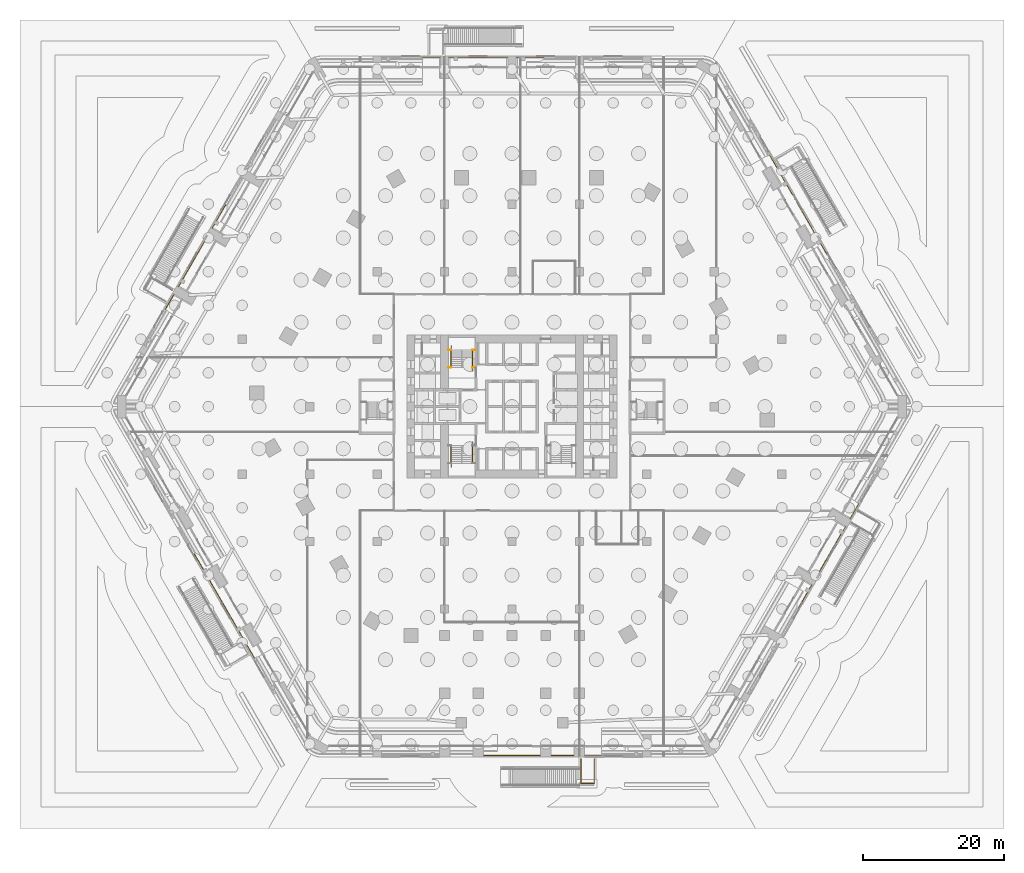
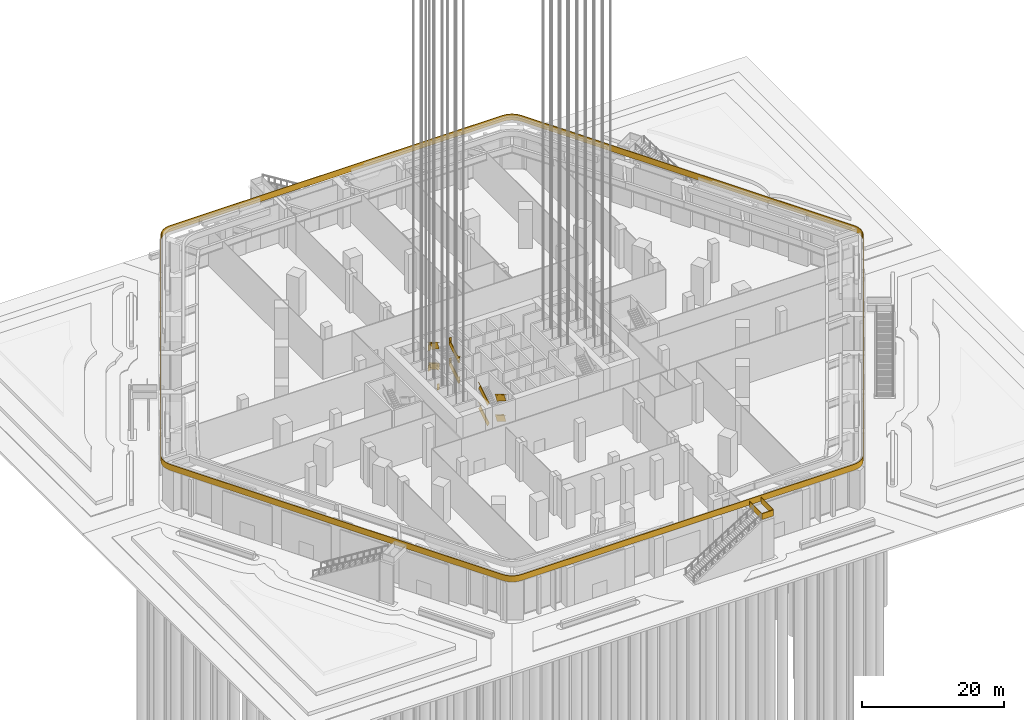
# One storey, part 63 of 68: 5 railings.
"""IFC4 building model written with IfcOpenShell, lengths in metres."""

from ifc_helpers import new_model, si_unit, direction, frame, frame_2d, origin, origin_2d, place, context, subcontext, project, spatial, rectangle, extrude, material, type_object, element, save


model = new_model("IFC4")

# Units and contexts
model_context = context("Model", 3, precision=1e-05, world=origin(), true_north=direction((0.0, 1.0)))
body_context = subcontext(model_context, "Body", "Model", "MODEL_VIEW")
ifc_project = project(units=[si_unit("LENGTHUNIT", "METRE"), si_unit("AREAUNIT", "SQUARE_METRE"), si_unit("VOLUMEUNIT", "CUBIC_METRE"), si_unit("PLANEANGLEUNIT", "RADIAN"), si_unit("MASSUNIT", "GRAM", prefix="KILO")], contexts=[model_context])

# Site, building, storey
site_placement = place(None, origin())
site = spatial("IfcSite", under=ifc_project, at=site_placement, CompositionType="ELEMENT")
building_placement = place(site_placement, origin())
building = spatial("IfcBuilding", under=site, at=building_placement, Name="Kolab Exchange Tower", CompositionType="ELEMENT")
storey_placement = place(building_placement, origin())
storey = spatial("IfcBuildingStorey", under=building, at=storey_placement, Name="L00", CompositionType="ELEMENT", Elevation=0.0)

# Railings
ifc_material_1 = material(Name="Stainless steel 316", Category="steel")
railing_type_1 = type_object("IfcRailingType", Name="GUARD 1100", PredefinedType="GUARDRAIL", material=ifc_material_1)
railing_1_placement = place(storey_placement, frame((-9.050048828125, 5.550048828125, 0.0)))
element("IfcRailing", 1, at=railing_1_placement, inside=storey, type_object=railing_type_1, Name="Guard ST1", PredefinedType="GUARDRAIL", context=body_context, shape_type="SweptSolid", body=[
    extrude(rectangle(XDim=0.05, YDim=0.05, at=origin_2d()), frame((0.0, 0.0, 1.0751953125), z_axis=(1.0, 0.0, 0.0), x_axis=(0.0, 1.0, 0.0)), (0.0, 0.0, 1.0), 0.39013671875),
    extrude(rectangle(XDim=0.012, YDim=1.05009765625, at=frame_2d((0.0, 0.525146484375))), frame((0.0, 0.0, 0.0), z_axis=(1.0, 0.0, 0.0), x_axis=(0.0, 1.0, 0.0)), (0.0, 0.0, 1.0), 0.39013671875),
    extrude(rectangle(XDim=0.05, YDim=0.05, at=origin_2d()), frame((3.41015625, 0.0, 1.0751953125), z_axis=(1.0, 0.0, 0.0), x_axis=(0.0, 1.0, 0.0)), (0.0, 0.0, 1.0), 0.389892578125),
    extrude(rectangle(XDim=0.012, YDim=1.05009765625, at=frame_2d((0.0, 0.525146484375))), frame((3.41015625, 0.0, 0.0), z_axis=(1.0, 0.0, 0.0), x_axis=(0.0, 1.0, 0.0)), (0.0, 0.0, 1.0), 0.389892578125),
    extrude(rectangle(XDim=0.05, YDim=0.05, at=origin_2d()), frame((0.0, 2.52001953125, 2.8251953125), z_axis=(1.0, 0.0, 0.0), x_axis=(0.0, 1.0, 0.0)), (0.0, 0.0, 1.0), 0.39013671875),
    extrude(rectangle(XDim=0.012, YDim=1.05009765625, at=frame_2d((0.0, 0.525146484375))), frame((0.0, 2.52001953125, 1.75), z_axis=(1.0, 0.0, 0.0), x_axis=(0.0, 1.0, 0.0)), (0.0, 0.0, 1.0), 0.39013671875),
    extrude(rectangle(XDim=0.05, YDim=0.05, at=origin_2d()), frame((3.41015625, 2.52001953125, 2.8251953125), z_axis=(1.0, 0.0, 0.0), x_axis=(0.0, 1.0, 0.0)), (0.0, 0.0, 1.0), 0.389892578125),
    extrude(rectangle(XDim=0.012, YDim=1.05009765625, at=frame_2d((0.0, 0.525146484375))), frame((3.41015625, 2.52001953125, 1.75), z_axis=(1.0, 0.0, 0.0), x_axis=(0.0, 1.0, 0.0)), (0.0, 0.0, 1.0), 0.389892578125),
    extrude(rectangle(XDim=0.05, YDim=0.05, at=origin_2d()), frame((0.0, 0.0, 4.5751953125), z_axis=(1.0, 0.0, 0.0), x_axis=(0.0, 1.0, 0.0)), (0.0, 0.0, 1.0), 0.39013671875),
    extrude(rectangle(XDim=0.012, YDim=1.05009765625, at=frame_2d((0.0, 0.525146484375))), frame((0.0, 0.0, 3.5), z_axis=(1.0, 0.0, 0.0), x_axis=(0.0, 1.0, 0.0)), (0.0, 0.0, 1.0), 0.39013671875),
    extrude(rectangle(XDim=0.05, YDim=0.05, at=origin_2d()), frame((3.41015625, 0.0, 4.5751953125), z_axis=(1.0, 0.0, 0.0), x_axis=(0.0, 1.0, 0.0)), (0.0, 0.0, 1.0), 0.389892578125),
    extrude(rectangle(XDim=0.012, YDim=1.05009765625, at=frame_2d((0.0, 0.525146484375))), frame((3.41015625, 0.0, 3.5), z_axis=(1.0, 0.0, 0.0), x_axis=(0.0, 1.0, 0.0)), (0.0, 0.0, 1.0), 0.389892578125),
    extrude(rectangle(XDim=0.05, YDim=0.05, at=origin_2d()), frame((0.0, 2.52001953125, 6.3251953125), z_axis=(1.0, 0.0, 0.0), x_axis=(0.0, 1.0, 0.0)), (0.0, 0.0, 1.0), 0.39013671875),
    extrude(rectangle(XDim=0.012, YDim=1.05009765625, at=frame_2d((0.0, 0.525146484375))), frame((0.0, 2.52001953125, 5.25), z_axis=(1.0, 0.0, 0.0), x_axis=(0.0, 1.0, 0.0)), (0.0, 0.0, 1.0), 0.39013671875),
    extrude(rectangle(XDim=0.05, YDim=0.05, at=origin_2d()), frame((3.41015625, 2.52001953125, 6.3251953125), z_axis=(1.0, 0.0, 0.0), x_axis=(0.0, 1.0, 0.0)), (0.0, 0.0, 1.0), 0.389892578125),
    extrude(rectangle(XDim=0.012, YDim=1.05009765625, at=frame_2d((0.0, 0.525146484375))), frame((3.41015625, 2.52001953125, 5.25), z_axis=(1.0, 0.0, 0.0), x_axis=(0.0, 1.0, 0.0)), (0.0, 0.0, 1.0), 0.389892578125),
])
railing_2_placement = place(storey_placement, frame((-5.639892578125, 5.550048828125, 0.175048828125)))
element("IfcRailing", 2, at=railing_2_placement, inside=storey, type_object=railing_type_1, Name="Handrail guard ST1", PredefinedType="GUARDRAIL", context=body_context, shape_type="SweptSolid", body=[
    extrude(rectangle(XDim=0.05, YDim=0.05, at=origin_2d()), frame((0.0, 0.0, 1.0751953125), z_axis=(0.0, 0.848007534815, 0.529984170421), x_axis=(-1.0, 0.0, 0.0)), (0.0, 0.0, 1.0), 2.9716796875),
    extrude(rectangle(XDim=0.012, YDim=1.05009765625, at=frame_2d((0.0, 0.525146484375))), frame((0.0, 0.0, 0.0), z_axis=(0.0, 0.848007534815, 0.529984170421), x_axis=(-1.0, 0.0, 0.0)), (0.0, 0.0, 1.0), 2.9716796875),
    extrude(rectangle(XDim=0.05, YDim=0.05, at=origin_2d()), frame((-3.02001953125, 2.52001953125, 2.8251953125), z_axis=(0.0, -0.848007534815, 0.529984170421), x_axis=(1.0, 0.0, 0.0)), (0.0, 0.0, 1.0), 2.9716796875),
    extrude(rectangle(XDim=0.012, YDim=1.05009765625, at=frame_2d((0.0, 0.525146484375))), frame((-3.02001953125, 2.52001953125, 1.75), z_axis=(0.0, -0.848007534815, 0.529984170421), x_axis=(1.0, 0.0, 0.0)), (0.0, 0.0, 1.0), 2.9716796875),
    extrude(rectangle(XDim=0.05, YDim=0.05, at=origin_2d()), frame((0.0, 0.0, 4.5751953125), z_axis=(0.0, 0.848007534815, 0.529984170421), x_axis=(-1.0, 0.0, 0.0)), (0.0, 0.0, 1.0), 2.9716796875),
    extrude(rectangle(XDim=0.012, YDim=1.05009765625, at=frame_2d((0.0, 0.525146484375))), frame((0.0, 0.0, 3.5), z_axis=(0.0, 0.848007534815, 0.529984170421), x_axis=(-1.0, 0.0, 0.0)), (0.0, 0.0, 1.0), 2.9716796875),
    extrude(rectangle(XDim=0.05, YDim=0.05, at=origin_2d()), frame((-3.02001953125, 2.52001953125, 6.3251953125), z_axis=(0.0, -0.848007534815, 0.529984170421), x_axis=(1.0, 0.0, 0.0)), (0.0, 0.0, 1.0), 2.9716796875),
    extrude(rectangle(XDim=0.012, YDim=1.05009765625, at=frame_2d((0.0, 0.525146484375))), frame((-3.02001953125, 2.52001953125, 5.25), z_axis=(0.0, -0.848007534815, 0.529984170421), x_axis=(1.0, 0.0, 0.0)), (0.0, 0.0, 1.0), 2.9716796875),
])
railing_3_placement = place(storey_placement, frame((-5.639892578125, -5.550048828125, 0.175048828125)))
element("IfcRailing", 3, at=railing_3_placement, inside=storey, type_object=railing_type_1, Name="Handrail guard ST3", PredefinedType="GUARDRAIL", context=body_context, shape_type="SweptSolid", body=[
    extrude(rectangle(XDim=0.05, YDim=0.05, at=origin_2d()), frame((0.0, 0.0, 1.0751953125), z_axis=(0.0, -0.848007534815, 0.529984170421), x_axis=(1.0, 0.0, 0.0)), (0.0, 0.0, 1.0), 2.9716796875),
    extrude(rectangle(XDim=0.012, YDim=1.05009765625, at=frame_2d((0.0, 0.525146484375))), frame((0.0, 0.0, 0.0), z_axis=(0.0, -0.848007534815, 0.529984170421), x_axis=(1.0, 0.0, 0.0)), (0.0, 0.0, 1.0), 2.9716796875),
    extrude(rectangle(XDim=0.05, YDim=0.05, at=origin_2d()), frame((-3.02001953125, -2.52001953125, 2.8251953125), z_axis=(0.0, 0.848007534815, 0.529984170421), x_axis=(-1.0, 0.0, 0.0)), (0.0, 0.0, 1.0), 2.9716796875),
    extrude(rectangle(XDim=0.012, YDim=1.05009765625, at=frame_2d((0.0, 0.525146484375))), frame((-3.02001953125, -2.52001953125, 1.75), z_axis=(0.0, 0.848007534815, 0.529984170421), x_axis=(-1.0, 0.0, 0.0)), (0.0, 0.0, 1.0), 2.9716796875),
    extrude(rectangle(XDim=0.05, YDim=0.05, at=origin_2d()), frame((0.0, 0.0, 4.5751953125), z_axis=(0.0, -0.848007534815, 0.529984170421), x_axis=(1.0, 0.0, 0.0)), (0.0, 0.0, 1.0), 2.9716796875),
    extrude(rectangle(XDim=0.012, YDim=1.05009765625, at=frame_2d((0.0, 0.525146484375))), frame((0.0, 0.0, 3.5), z_axis=(0.0, -0.848007534815, 0.529984170421), x_axis=(1.0, 0.0, 0.0)), (0.0, 0.0, 1.0), 2.9716796875),
    extrude(rectangle(XDim=0.05, YDim=0.05, at=origin_2d()), frame((-3.02001953125, -2.52001953125, 6.3251953125), z_axis=(0.0, 0.848007534815, 0.529984170421), x_axis=(-1.0, 0.0, 0.0)), (0.0, 0.0, 1.0), 2.9716796875),
    extrude(rectangle(XDim=0.012, YDim=1.05009765625, at=frame_2d((0.0, 0.525146484375))), frame((-3.02001953125, -2.52001953125, 5.25), z_axis=(0.0, 0.848007534815, 0.529984170421), x_axis=(-1.0, 0.0, 0.0)), (0.0, 0.0, 1.0), 2.9716796875),
])
ifc_material_2 = material(Name="Steel S235", Category="steel")
railing_type_2 = type_object("IfcRailingType", Name="GUARD 1100 GLASS BALUSTRADE AND STEEL TOP RAIL", PredefinedType="GUARDRAIL", material=ifc_material_2)
railing_4_placement = place(storey_placement, frame((56.511962890625, -1.384521484375, 7.0)))
element("IfcRailing", 4, at=railing_4_placement, inside=storey, type_object=railing_type_2, Name="Terrace guard", PredefinedType="GUARDRAIL", context=body_context, shape_type="SweptSolid", body=[
    extrude(rectangle(XDim=0.05, YDim=0.05, at=origin_2d()), frame((0.0, 0.0, 1.0751953125), z_axis=(-0.499999083278, -0.866025933053, 0.0), x_axis=(0.866025933053, -0.499999083278, 0.0)), (0.0, 0.0, 1.0), 54.11376953125),
    extrude(rectangle(XDim=0.012, YDim=1.05009765625, at=frame_2d((0.0, 0.525146484375))), frame((0.0, 0.0, 0.0), z_axis=(-0.499999083278, -0.866025933053, 0.0), x_axis=(0.866025933053, -0.499999083278, 0.0)), (0.0, 0.0, 1.0), 54.11376953125),
    extrude(rectangle(XDim=0.05, YDim=0.05, at=origin_2d()), frame((-27.056884765625, -46.864013671875, 1.0751953125), z_axis=(-0.573629427137, -0.819114937187, 0.0), x_axis=(0.819114937187, -0.573629427137, 0.0)), (0.0, 0.0, 1.0), 0.490234375),
    extrude(rectangle(XDim=0.012, YDim=1.05009765625, at=frame_2d((0.0, 0.525146484375))), frame((-27.056884765625, -46.864013671875, 0.0), z_axis=(-0.573629427137, -0.819114937187, 0.0), x_axis=(0.819114937187, -0.573629427137, 0.0)), (0.0, 0.0, 1.0), 0.490234375),
    extrude(rectangle(XDim=0.05, YDim=0.05, at=origin_2d()), frame((-27.338134765625, -47.265625, 1.0751953125), z_axis=(-0.707106781187, -0.707106781187, 0.0), x_axis=(0.707106781187, -0.707106781187, 0.0)), (0.0, 0.0, 1.0), 0.479248046875),
    extrude(rectangle(XDim=0.012, YDim=1.05009765625, at=frame_2d((0.0, 0.525146484375))), frame((-27.338134765625, -47.265625, 0.0), z_axis=(-0.707106781187, -0.707106781187, 0.0), x_axis=(0.707106781187, -0.707106781187, 0.0)), (0.0, 0.0, 1.0), 0.479248046875),
    extrude(rectangle(XDim=0.05, YDim=0.05, at=origin_2d()), frame((-27.677001953125, -47.6044921875, 1.0751953125), z_axis=(-0.819136180478, -0.573599091554, 0.0), x_axis=(0.573599091554, -0.819136180478, 0.0)), (0.0, 0.0, 1.0), 0.479248046875),
    extrude(rectangle(XDim=0.012, YDim=1.05009765625, at=frame_2d((0.0, 0.525146484375))), frame((-27.677001953125, -47.6044921875, 0.0), z_axis=(-0.819136180478, -0.573599091554, 0.0), x_axis=(0.573599091554, -0.819136180478, 0.0)), (0.0, 0.0, 1.0), 0.479248046875),
    extrude(rectangle(XDim=0.05, YDim=0.05, at=origin_2d()), frame((-28.069580078125, -47.87939453125, 1.0751953125), z_axis=(-0.906417300872, -0.422383329074, 0.0), x_axis=(0.422383329074, -0.906417300872, 0.0)), (0.0, 0.0, 1.0), 0.479248046875),
    extrude(rectangle(XDim=0.012, YDim=1.05009765625, at=frame_2d((0.0, 0.525146484375))), frame((-28.069580078125, -47.87939453125, 0.0), z_axis=(-0.906417300872, -0.422383329074, 0.0), x_axis=(0.422383329074, -0.906417300872, 0.0)), (0.0, 0.0, 1.0), 0.479248046875),
    extrude(rectangle(XDim=0.05, YDim=0.05, at=origin_2d()), frame((-28.50390625, -48.081787109375, 1.0751953125), z_axis=(-0.965895711288, -0.258931409675, 0.0), x_axis=(0.258931409675, -0.965895711288, 0.0)), (0.0, 0.0, 1.0), 0.47900390625),
    extrude(rectangle(XDim=0.012, YDim=1.05009765625, at=frame_2d((0.0, 0.525146484375))), frame((-28.50390625, -48.081787109375, 0.0), z_axis=(-0.965895711288, -0.258931409675, 0.0), x_axis=(0.258931409675, -0.965895711288, 0.0)), (0.0, 0.0, 1.0), 0.47900390625),
    extrude(rectangle(XDim=0.05, YDim=0.05, at=origin_2d()), frame((-28.966552734375, -48.205810546875, 1.0751953125), z_axis=(-0.996193717496, -0.087166950281, 0.0), x_axis=(0.087166950281, -0.996193717496, 0.0)), (0.0, 0.0, 1.0), 0.490234375),
    extrude(rectangle(XDim=0.012, YDim=1.05009765625, at=frame_2d((0.0, 0.525146484375))), frame((-28.966552734375, -48.205810546875, 0.0), z_axis=(-0.996193717496, -0.087166950281, 0.0), x_axis=(0.087166950281, -0.996193717496, 0.0)), (0.0, 0.0, 1.0), 0.490234375),
    extrude(rectangle(XDim=0.05, YDim=0.05, at=origin_2d()), frame((-29.454833984375, -48.24853515625, 1.0751953125), z_axis=(-1.0, 0.0, 0.0), x_axis=(0.0, -1.0, 0.0)), (0.0, 0.0, 1.0), 54.1142578125),
    extrude(rectangle(XDim=0.012, YDim=1.05009765625, at=frame_2d((0.0, 0.525146484375))), frame((-29.454833984375, -48.24853515625, 0.0), z_axis=(-1.0, 0.0, 0.0), x_axis=(0.0, -1.0, 0.0)), (0.0, 0.0, 1.0), 54.1142578125),
    extrude(rectangle(XDim=0.05, YDim=0.05, at=origin_2d()), frame((-83.569091796875, -48.24853515625, 1.0751953125), z_axis=(-0.996193717496, 0.087166950281, 0.0), x_axis=(-0.087166950281, -0.996193717496, 0.0)), (0.0, 0.0, 1.0), 0.490234375),
    extrude(rectangle(XDim=0.012, YDim=1.05009765625, at=frame_2d((0.0, 0.525146484375))), frame((-83.569091796875, -48.24853515625, 0.0), z_axis=(-0.996193717496, 0.087166950281, 0.0), x_axis=(-0.087166950281, -0.996193717496, 0.0)), (0.0, 0.0, 1.0), 0.490234375),
    extrude(rectangle(XDim=0.05, YDim=0.05, at=origin_2d()), frame((-84.057373046875, -48.205810546875, 1.0751953125), z_axis=(-0.965895711288, 0.258931409675, 0.0), x_axis=(-0.258931409675, -0.965895711288, 0.0)), (0.0, 0.0, 1.0), 0.47900390625),
    extrude(rectangle(XDim=0.012, YDim=1.05009765625, at=frame_2d((0.0, 0.525146484375))), frame((-84.057373046875, -48.205810546875, 0.0), z_axis=(-0.965895711288, 0.258931409675, 0.0), x_axis=(-0.258931409675, -0.965895711288, 0.0)), (0.0, 0.0, 1.0), 0.47900390625),
    extrude(rectangle(XDim=0.05, YDim=0.05, at=origin_2d()), frame((-84.52001953125, -48.081787109375, 1.0751953125), z_axis=(-0.906417300872, 0.422383329074, 0.0), x_axis=(-0.422383329074, -0.906417300872, 0.0)), (0.0, 0.0, 1.0), 0.479248046875),
    extrude(rectangle(XDim=0.012, YDim=1.05009765625, at=frame_2d((0.0, 0.525146484375))), frame((-84.52001953125, -48.081787109375, 0.0), z_axis=(-0.906417300872, 0.422383329074, 0.0), x_axis=(-0.422383329074, -0.906417300872, 0.0)), (0.0, 0.0, 1.0), 0.479248046875),
    extrude(rectangle(XDim=0.05, YDim=0.05, at=origin_2d()), frame((-84.954345703125, -47.87939453125, 1.0751953125), z_axis=(-0.819136180478, 0.573599091554, 0.0), x_axis=(-0.573599091554, -0.819136180478, 0.0)), (0.0, 0.0, 1.0), 0.479248046875),
    extrude(rectangle(XDim=0.012, YDim=1.05009765625, at=frame_2d((0.0, 0.525146484375))), frame((-84.954345703125, -47.87939453125, 0.0), z_axis=(-0.819136180478, 0.573599091554, 0.0), x_axis=(-0.573599091554, -0.819136180478, 0.0)), (0.0, 0.0, 1.0), 0.479248046875),
    extrude(rectangle(XDim=0.05, YDim=0.05, at=origin_2d()), frame((-85.346923828125, -47.6044921875, 1.0751953125), z_axis=(-0.707106781187, 0.707106781187, 0.0), x_axis=(-0.707106781187, -0.707106781187, 0.0)), (0.0, 0.0, 1.0), 0.479248046875),
    extrude(rectangle(XDim=0.012, YDim=1.05009765625, at=frame_2d((0.0, 0.525146484375))), frame((-85.346923828125, -47.6044921875, 0.0), z_axis=(-0.707106781187, 0.707106781187, 0.0), x_axis=(-0.707106781187, -0.707106781187, 0.0)), (0.0, 0.0, 1.0), 0.479248046875),
    extrude(rectangle(XDim=0.05, YDim=0.05, at=origin_2d()), frame((-85.685791015625, -47.265625, 1.0751953125), z_axis=(-0.573629427137, 0.819114937187, 0.0), x_axis=(-0.819114937187, -0.573629427137, 0.0)), (0.0, 0.0, 1.0), 0.490234375),
    extrude(rectangle(XDim=0.012, YDim=1.05009765625, at=frame_2d((0.0, 0.525146484375))), frame((-85.685791015625, -47.265625, 0.0), z_axis=(-0.573629427137, 0.819114937187, 0.0), x_axis=(-0.819114937187, -0.573629427137, 0.0)), (0.0, 0.0, 1.0), 0.490234375),
    extrude(rectangle(XDim=0.05, YDim=0.05, at=origin_2d()), frame((-85.967041015625, -46.864013671875, 1.0751953125), z_axis=(-0.499999083278, 0.866025933053, 0.0), x_axis=(-0.866025933053, -0.499999083278, 0.0)), (0.0, 0.0, 1.0), 54.11376953125),
    extrude(rectangle(XDim=0.012, YDim=1.05009765625, at=frame_2d((0.0, 0.525146484375))), frame((-85.967041015625, -46.864013671875, 0.0), z_axis=(-0.499999083278, 0.866025933053, 0.0), x_axis=(-0.866025933053, -0.499999083278, 0.0)), (0.0, 0.0, 1.0), 54.11376953125),
    extrude(rectangle(XDim=0.05, YDim=0.05, at=origin_2d()), frame((-113.02392578125, 0.0, 1.0751953125), z_axis=(-0.422749163714, 0.906246734934, 0.0), x_axis=(-0.906246734934, -0.422749163714, 0.0)), (0.0, 0.0, 1.0), 0.490234375),
    extrude(rectangle(XDim=0.012, YDim=1.05009765625, at=frame_2d((0.0, 0.525146484375))), frame((-113.02392578125, 0.0, 0.0), z_axis=(-0.422749163714, 0.906246734934, 0.0), x_axis=(-0.906246734934, -0.422749163714, 0.0)), (0.0, 0.0, 1.0), 0.490234375),
    extrude(rectangle(XDim=0.05, YDim=0.05, at=origin_2d()), frame((-113.231201171875, 0.4443359375, 1.0751953125), z_axis=(-0.258803991931, 0.965929859648, 0.0), x_axis=(-0.965929859648, -0.258803991931, 0.0)), (0.0, 0.0, 1.0), 0.479248046875),
    extrude(rectangle(XDim=0.012, YDim=1.05009765625, at=frame_2d((0.0, 0.525146484375))), frame((-113.231201171875, 0.4443359375, 0.0), z_axis=(-0.258803991931, 0.965929859648, 0.0), x_axis=(-0.965929859648, -0.258803991931, 0.0)), (0.0, 0.0, 1.0), 0.479248046875),
    extrude(rectangle(XDim=0.05, YDim=0.05, at=origin_2d()), frame((-113.355224609375, 0.9072265625, 1.0751953125), z_axis=(-0.087135344505, 0.996196482496, 0.0), x_axis=(-0.996196482496, -0.087135344505, 0.0)), (0.0, 0.0, 1.0), 0.47900390625),
    extrude(rectangle(XDim=0.012, YDim=1.05009765625, at=frame_2d((0.0, 0.525146484375))), frame((-113.355224609375, 0.9072265625, 0.0), z_axis=(-0.087135344505, 0.996196482496, 0.0), x_axis=(-0.996196482496, -0.087135344505, 0.0)), (0.0, 0.0, 1.0), 0.47900390625),
    extrude(rectangle(XDim=0.05, YDim=0.05, at=origin_2d()), frame((-113.39697265625, 1.384521484375, 1.0751953125), z_axis=(0.087135344505, 0.996196482496, 0.0), x_axis=(-0.996196482496, 0.087135344505, 0.0)), (0.0, 0.0, 1.0), 0.47900390625),
    extrude(rectangle(XDim=0.012, YDim=1.05009765625, at=frame_2d((0.0, 0.525146484375))), frame((-113.39697265625, 1.384521484375, 0.0), z_axis=(0.087135344505, 0.996196482496, 0.0), x_axis=(-0.996196482496, 0.087135344505, 0.0)), (0.0, 0.0, 1.0), 0.47900390625),
    extrude(rectangle(XDim=0.05, YDim=0.05, at=origin_2d()), frame((-113.355224609375, 1.86181640625, 1.0751953125), z_axis=(0.258803991931, 0.965929859648, 0.0), x_axis=(-0.965929859648, 0.258803991931, 0.0)), (0.0, 0.0, 1.0), 0.479248046875),
    extrude(rectangle(XDim=0.012, YDim=1.05009765625, at=frame_2d((0.0, 0.525146484375))), frame((-113.355224609375, 1.86181640625, 0.0), z_axis=(0.258803991931, 0.965929859648, 0.0), x_axis=(-0.965929859648, 0.258803991931, 0.0)), (0.0, 0.0, 1.0), 0.479248046875),
    extrude(rectangle(XDim=0.05, YDim=0.05, at=origin_2d()), frame((-113.231201171875, 2.32470703125, 1.0751953125), z_axis=(0.422749163714, 0.906246734934, 0.0), x_axis=(-0.906246734934, 0.422749163714, 0.0)), (0.0, 0.0, 1.0), 0.490234375),
    extrude(rectangle(XDim=0.012, YDim=1.05009765625, at=frame_2d((0.0, 0.525146484375))), frame((-113.231201171875, 2.32470703125, 0.0), z_axis=(0.422749163714, 0.906246734934, 0.0), x_axis=(-0.906246734934, 0.422749163714, 0.0)), (0.0, 0.0, 1.0), 0.490234375),
    extrude(rectangle(XDim=0.05, YDim=0.05, at=origin_2d()), frame((-113.02392578125, 2.76904296875, 1.0751953125), z_axis=(0.499999083278, 0.866025933053, 0.0), x_axis=(-0.866025933053, 0.499999083278, 0.0)), (0.0, 0.0, 1.0), 54.11376953125),
    extrude(rectangle(XDim=0.012, YDim=1.05009765625, at=frame_2d((0.0, 0.525146484375))), frame((-113.02392578125, 2.76904296875, 0.0), z_axis=(0.499999083278, 0.866025933053, 0.0), x_axis=(-0.866025933053, 0.499999083278, 0.0)), (0.0, 0.0, 1.0), 54.11376953125),
    extrude(rectangle(XDim=0.05, YDim=0.05, at=origin_2d()), frame((-85.967041015625, 49.633056640625, 1.0751953125), z_axis=(0.573629427137, 0.819114937187, 0.0), x_axis=(-0.819114937187, 0.573629427137, 0.0)), (0.0, 0.0, 1.0), 0.490234375),
    extrude(rectangle(XDim=0.012, YDim=1.05009765625, at=frame_2d((0.0, 0.525146484375))), frame((-85.967041015625, 49.633056640625, 0.0), z_axis=(0.573629427137, 0.819114937187, 0.0), x_axis=(-0.819114937187, 0.573629427137, 0.0)), (0.0, 0.0, 1.0), 0.490234375),
    extrude(rectangle(XDim=0.05, YDim=0.05, at=origin_2d()), frame((-85.685791015625, 50.03466796875, 1.0751953125), z_axis=(0.707106781187, 0.707106781187, 0.0), x_axis=(-0.707106781187, 0.707106781187, 0.0)), (0.0, 0.0, 1.0), 0.479248046875),
    extrude(rectangle(XDim=0.012, YDim=1.05009765625, at=frame_2d((0.0, 0.525146484375))), frame((-85.685791015625, 50.03466796875, 0.0), z_axis=(0.707106781187, 0.707106781187, 0.0), x_axis=(-0.707106781187, 0.707106781187, 0.0)), (0.0, 0.0, 1.0), 0.479248046875),
    extrude(rectangle(XDim=0.05, YDim=0.05, at=origin_2d()), frame((-85.346923828125, 50.37353515625, 1.0751953125), z_axis=(0.819136180478, 0.573599091554, 0.0), x_axis=(-0.573599091554, 0.819136180478, 0.0)), (0.0, 0.0, 1.0), 0.479248046875),
    extrude(rectangle(XDim=0.012, YDim=1.05009765625, at=frame_2d((0.0, 0.525146484375))), frame((-85.346923828125, 50.37353515625, 0.0), z_axis=(0.819136180478, 0.573599091554, 0.0), x_axis=(-0.573599091554, 0.819136180478, 0.0)), (0.0, 0.0, 1.0), 0.479248046875),
    extrude(rectangle(XDim=0.05, YDim=0.05, at=origin_2d()), frame((-84.954345703125, 50.6484375, 1.0751953125), z_axis=(0.906417300872, 0.422383329074, 0.0), x_axis=(-0.422383329074, 0.906417300872, 0.0)), (0.0, 0.0, 1.0), 0.479248046875),
    extrude(rectangle(XDim=0.012, YDim=1.05009765625, at=frame_2d((0.0, 0.525146484375))), frame((-84.954345703125, 50.6484375, 0.0), z_axis=(0.906417300872, 0.422383329074, 0.0), x_axis=(-0.422383329074, 0.906417300872, 0.0)), (0.0, 0.0, 1.0), 0.479248046875),
    extrude(rectangle(XDim=0.05, YDim=0.05, at=origin_2d()), frame((-84.52001953125, 50.850830078125, 1.0751953125), z_axis=(0.965895711288, 0.258931409675, 0.0), x_axis=(-0.258931409675, 0.965895711288, 0.0)), (0.0, 0.0, 1.0), 0.47900390625),
    extrude(rectangle(XDim=0.012, YDim=1.05009765625, at=frame_2d((0.0, 0.525146484375))), frame((-84.52001953125, 50.850830078125, 0.0), z_axis=(0.965895711288, 0.258931409675, 0.0), x_axis=(-0.258931409675, 0.965895711288, 0.0)), (0.0, 0.0, 1.0), 0.47900390625),
    extrude(rectangle(XDim=0.05, YDim=0.05, at=origin_2d()), frame((-84.057373046875, 50.974853515625, 1.0751953125), z_axis=(0.996193717496, 0.087166950281, 0.0), x_axis=(-0.087166950281, 0.996193717496, 0.0)), (0.0, 0.0, 1.0), 0.490234375),
    extrude(rectangle(XDim=0.012, YDim=1.05009765625, at=frame_2d((0.0, 0.525146484375))), frame((-84.057373046875, 50.974853515625, 0.0), z_axis=(0.996193717496, 0.087166950281, 0.0), x_axis=(-0.087166950281, 0.996193717496, 0.0)), (0.0, 0.0, 1.0), 0.490234375),
    extrude(rectangle(XDim=0.05, YDim=0.05, at=origin_2d()), frame((-83.569091796875, 51.017578125, 1.0751953125), z_axis=(1.0, 0.0, 0.0), x_axis=(0.0, 1.0, 0.0)), (0.0, 0.0, 1.0), 54.1142578125),
    extrude(rectangle(XDim=0.012, YDim=1.05009765625, at=frame_2d((0.0, 0.525146484375))), frame((-83.569091796875, 51.017578125, 0.0), z_axis=(1.0, 0.0, 0.0), x_axis=(0.0, 1.0, 0.0)), (0.0, 0.0, 1.0), 54.1142578125),
    extrude(rectangle(XDim=0.05, YDim=0.05, at=origin_2d()), frame((-29.454833984375, 51.017578125, 1.0751953125), z_axis=(0.996193717496, -0.087166950281, 0.0), x_axis=(0.087166950281, 0.996193717496, 0.0)), (0.0, 0.0, 1.0), 0.490234375),
    extrude(rectangle(XDim=0.012, YDim=1.05009765625, at=frame_2d((0.0, 0.525146484375))), frame((-29.454833984375, 51.017578125, 0.0), z_axis=(0.996193717496, -0.087166950281, 0.0), x_axis=(0.087166950281, 0.996193717496, 0.0)), (0.0, 0.0, 1.0), 0.490234375),
    extrude(rectangle(XDim=0.05, YDim=0.05, at=origin_2d()), frame((-28.966552734375, 50.974853515625, 1.0751953125), z_axis=(0.965895711288, -0.258931409675, 0.0), x_axis=(0.258931409675, 0.965895711288, 0.0)), (0.0, 0.0, 1.0), 0.47900390625),
    extrude(rectangle(XDim=0.012, YDim=1.05009765625, at=frame_2d((0.0, 0.525146484375))), frame((-28.966552734375, 50.974853515625, 0.0), z_axis=(0.965895711288, -0.258931409675, 0.0), x_axis=(0.258931409675, 0.965895711288, 0.0)), (0.0, 0.0, 1.0), 0.47900390625),
    extrude(rectangle(XDim=0.05, YDim=0.05, at=origin_2d()), frame((-28.50390625, 50.850830078125, 1.0751953125), z_axis=(0.906417300872, -0.422383329074, 0.0), x_axis=(0.422383329074, 0.906417300872, 0.0)), (0.0, 0.0, 1.0), 0.479248046875),
    extrude(rectangle(XDim=0.012, YDim=1.05009765625, at=frame_2d((0.0, 0.525146484375))), frame((-28.50390625, 50.850830078125, 0.0), z_axis=(0.906417300872, -0.422383329074, 0.0), x_axis=(0.422383329074, 0.906417300872, 0.0)), (0.0, 0.0, 1.0), 0.479248046875),
    extrude(rectangle(XDim=0.05, YDim=0.05, at=origin_2d()), frame((-28.069580078125, 50.6484375, 1.0751953125), z_axis=(0.819136180478, -0.573599091554, 0.0), x_axis=(0.573599091554, 0.819136180478, 0.0)), (0.0, 0.0, 1.0), 0.479248046875),
    extrude(rectangle(XDim=0.012, YDim=1.05009765625, at=frame_2d((0.0, 0.525146484375))), frame((-28.069580078125, 50.6484375, 0.0), z_axis=(0.819136180478, -0.573599091554, 0.0), x_axis=(0.573599091554, 0.819136180478, 0.0)), (0.0, 0.0, 1.0), 0.479248046875),
    extrude(rectangle(XDim=0.05, YDim=0.05, at=origin_2d()), frame((-27.677001953125, 50.37353515625, 1.0751953125), z_axis=(0.707106781187, -0.707106781187, 0.0), x_axis=(0.707106781187, 0.707106781187, 0.0)), (0.0, 0.0, 1.0), 0.479248046875),
    extrude(rectangle(XDim=0.012, YDim=1.05009765625, at=frame_2d((0.0, 0.525146484375))), frame((-27.677001953125, 50.37353515625, 0.0), z_axis=(0.707106781187, -0.707106781187, 0.0), x_axis=(0.707106781187, 0.707106781187, 0.0)), (0.0, 0.0, 1.0), 0.479248046875),
    extrude(rectangle(XDim=0.05, YDim=0.05, at=origin_2d()), frame((-27.338134765625, 50.03466796875, 1.0751953125), z_axis=(0.573629427137, -0.819114937187, 0.0), x_axis=(0.819114937187, 0.573629427137, 0.0)), (0.0, 0.0, 1.0), 0.490234375),
    extrude(rectangle(XDim=0.012, YDim=1.05009765625, at=frame_2d((0.0, 0.525146484375))), frame((-27.338134765625, 50.03466796875, 0.0), z_axis=(0.573629427137, -0.819114937187, 0.0), x_axis=(0.819114937187, 0.573629427137, 0.0)), (0.0, 0.0, 1.0), 0.490234375),
    extrude(rectangle(XDim=0.05, YDim=0.05, at=origin_2d()), frame((-27.056884765625, 49.633056640625, 1.0751953125), z_axis=(0.499999083278, -0.866025933053, 0.0), x_axis=(0.866025933053, 0.499999083278, 0.0)), (0.0, 0.0, 1.0), 54.11376953125),
    extrude(rectangle(XDim=0.012, YDim=1.05009765625, at=frame_2d((0.0, 0.525146484375))), frame((-27.056884765625, 49.633056640625, 0.0), z_axis=(0.499999083278, -0.866025933053, 0.0), x_axis=(0.866025933053, 0.499999083278, 0.0)), (0.0, 0.0, 1.0), 54.11376953125),
    extrude(rectangle(XDim=0.05, YDim=0.05, at=origin_2d()), frame((0.0, 2.76904296875, 1.0751953125), z_axis=(0.422749163714, -0.906246734934, 0.0), x_axis=(0.906246734934, 0.422749163714, 0.0)), (0.0, 0.0, 1.0), 0.490234375),
    extrude(rectangle(XDim=0.012, YDim=1.05009765625, at=frame_2d((0.0, 0.525146484375))), frame((0.0, 2.76904296875, 0.0), z_axis=(0.422749163714, -0.906246734934, 0.0), x_axis=(0.906246734934, 0.422749163714, 0.0)), (0.0, 0.0, 1.0), 0.490234375),
    extrude(rectangle(XDim=0.05, YDim=0.05, at=origin_2d()), frame((0.207275390625, 2.32470703125, 1.0751953125), z_axis=(0.258803991931, -0.965929859648, 0.0), x_axis=(0.965929859648, 0.258803991931, 0.0)), (0.0, 0.0, 1.0), 0.479248046875),
    extrude(rectangle(XDim=0.012, YDim=1.05009765625, at=frame_2d((0.0, 0.525146484375))), frame((0.207275390625, 2.32470703125, 0.0), z_axis=(0.258803991931, -0.965929859648, 0.0), x_axis=(0.965929859648, 0.258803991931, 0.0)), (0.0, 0.0, 1.0), 0.479248046875),
    extrude(rectangle(XDim=0.05, YDim=0.05, at=origin_2d()), frame((0.331298828125, 1.86181640625, 1.0751953125), z_axis=(0.087135344505, -0.996196482496, 0.0), x_axis=(0.996196482496, 0.087135344505, 0.0)), (0.0, 0.0, 1.0), 0.47900390625),
    extrude(rectangle(XDim=0.012, YDim=1.05009765625, at=frame_2d((0.0, 0.525146484375))), frame((0.331298828125, 1.86181640625, 0.0), z_axis=(0.087135344505, -0.996196482496, 0.0), x_axis=(0.996196482496, 0.087135344505, 0.0)), (0.0, 0.0, 1.0), 0.47900390625),
    extrude(rectangle(XDim=0.05, YDim=0.05, at=origin_2d()), frame((0.373046875, 1.384521484375, 1.0751953125), z_axis=(-0.087135344505, -0.996196482496, 0.0), x_axis=(0.996196482496, -0.087135344505, 0.0)), (0.0, 0.0, 1.0), 0.47900390625),
    extrude(rectangle(XDim=0.012, YDim=1.05009765625, at=frame_2d((0.0, 0.525146484375))), frame((0.373046875, 1.384521484375, 0.0), z_axis=(-0.087135344505, -0.996196482496, 0.0), x_axis=(0.996196482496, -0.087135344505, 0.0)), (0.0, 0.0, 1.0), 0.47900390625),
    extrude(rectangle(XDim=0.05, YDim=0.05, at=origin_2d()), frame((0.331298828125, 0.9072265625, 1.0751953125), z_axis=(-0.258803991931, -0.965929859648, 0.0), x_axis=(0.965929859648, -0.258803991931, 0.0)), (0.0, 0.0, 1.0), 0.479248046875),
    extrude(rectangle(XDim=0.012, YDim=1.05009765625, at=frame_2d((0.0, 0.525146484375))), frame((0.331298828125, 0.9072265625, 0.0), z_axis=(-0.258803991931, -0.965929859648, 0.0), x_axis=(0.965929859648, -0.258803991931, 0.0)), (0.0, 0.0, 1.0), 0.479248046875),
    extrude(rectangle(XDim=0.05, YDim=0.05, at=origin_2d()), frame((0.207275390625, 0.4443359375, 1.0751953125), z_axis=(-0.422749163714, -0.906246734934, 0.0), x_axis=(0.906246734934, -0.422749163714, 0.0)), (0.0, 0.0, 1.0), 0.490234375),
    extrude(rectangle(XDim=0.012, YDim=1.05009765625, at=frame_2d((0.0, 0.525146484375))), frame((0.207275390625, 0.4443359375, 0.0), z_axis=(-0.422749163714, -0.906246734934, 0.0), x_axis=(0.906246734934, -0.422749163714, 0.0)), (0.0, 0.0, 1.0), 0.490234375),
])
railing_5_placement = place(storey_placement, frame((11.7099609375, -50.133056640625, 7.0)))
element("IfcRailing", 5, at=railing_5_placement, inside=storey, type_object=railing_type_2, Name="Landing guard", PredefinedType="GUARDRAIL", context=body_context, shape_type="SweptSolid", body=[
    extrude(rectangle(XDim=0.05, YDim=0.05, at=origin_2d()), frame((0.0, 0.0, 1.0751953125), z_axis=(0.0, -1.0, 0.0), x_axis=(1.0, 0.0, 0.0)), (0.0, 0.0, 1.0), 3.5),
    extrude(rectangle(XDim=0.012, YDim=1.05009765625, at=frame_2d((0.0, 0.525146484375))), frame((0.0, 0.0, 0.0), z_axis=(0.0, -1.0, 0.0), x_axis=(1.0, 0.0, 0.0)), (0.0, 0.0, 1.0), 3.5),
    extrude(rectangle(XDim=0.05, YDim=0.05, at=origin_2d()), frame((0.0, -3.5, 1.0751953125), z_axis=(-1.0, 0.0, 0.0), x_axis=(0.0, -1.0, 0.0)), (0.0, 0.0, 1.0), 1.905029296875),
    extrude(rectangle(XDim=0.012, YDim=1.05009765625, at=frame_2d((0.0, 0.525146484375))), frame((0.0, -3.5, 0.0), z_axis=(-1.0, 0.0, 0.0), x_axis=(0.0, -1.0, 0.0)), (0.0, 0.0, 1.0), 1.905029296875),
    extrude(rectangle(XDim=0.05, YDim=0.05, at=origin_2d()), frame((-1.905029296875, -3.5, 1.0751953125), z_axis=(0.0, 1.0, 0.0), x_axis=(-1.0, 0.0, 0.0)), (0.0, 0.0, 1.0), 3.5),
    extrude(rectangle(XDim=0.012, YDim=1.05009765625, at=frame_2d((0.0, 0.525146484375))), frame((-1.905029296875, -3.5, 0.0), z_axis=(0.0, 1.0, 0.0), x_axis=(-1.0, 0.0, 0.0)), (0.0, 0.0, 1.0), 3.5),
])

save(model, "model.ifc")
